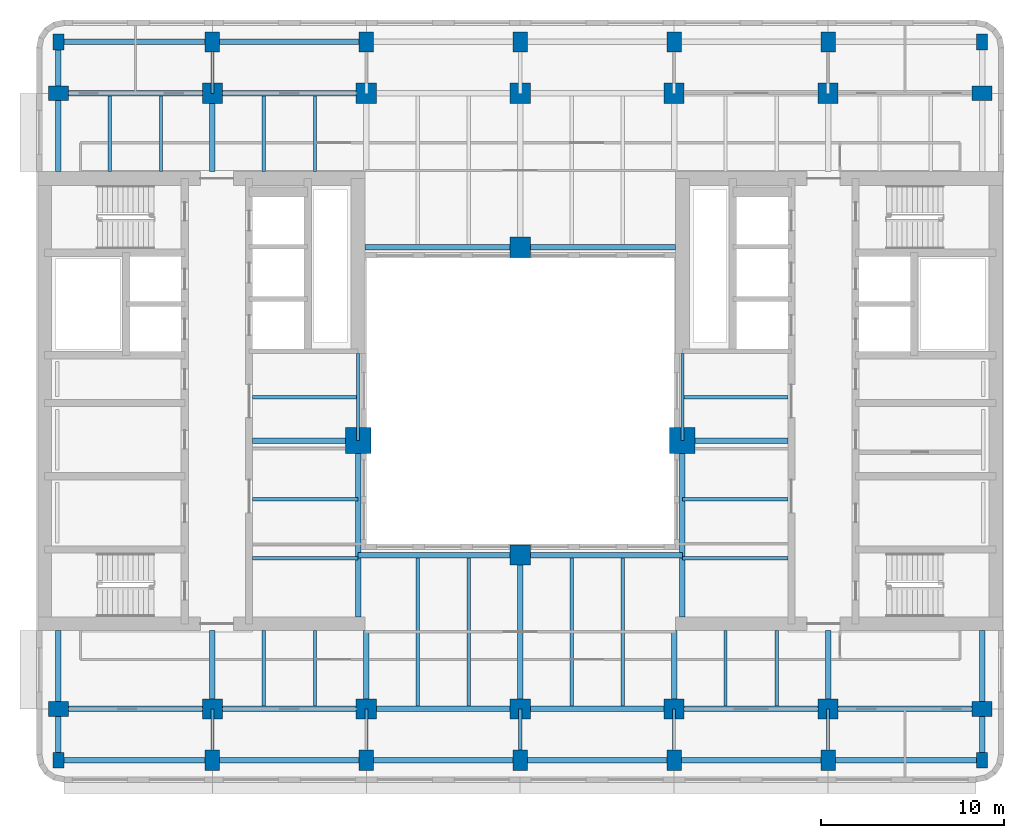
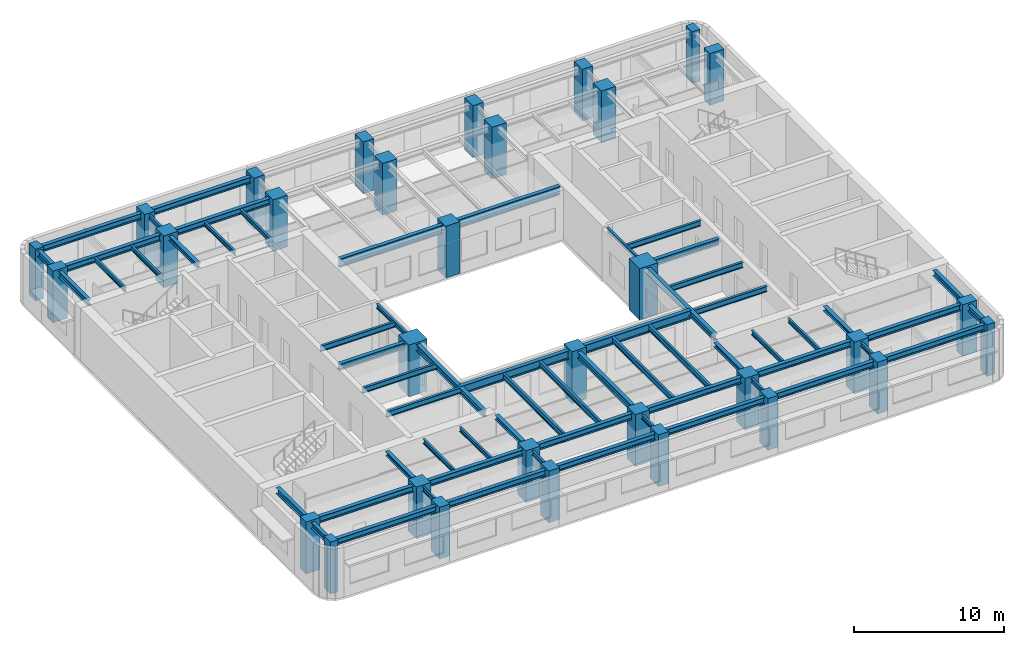
# One storey, part 1 of 11: 62 beams, 32 columns.
"""IFC4 building model written with IfcOpenShell, lengths in metres."""

from ifc_helpers import new_model, si_unit, direction, frame, origin, origin_2d, place, context, subcontext, project, spatial, rectangle, i_section, extrude, material, material_profile, profile_set, type_object, element, save


model = new_model("IFC4")

# Units and contexts
model_context = context("Model", 3, precision=1e-05, world=origin(), true_north=direction((0.0, 1.0)))
body_context = subcontext(model_context, "Body", "Model", "MODEL_VIEW")
ifc_project = project(units=[si_unit("LENGTHUNIT", "METRE"), si_unit("AREAUNIT", "SQUARE_METRE"), si_unit("VOLUMEUNIT", "CUBIC_METRE"), si_unit("PLANEANGLEUNIT", "RADIAN"), si_unit("MASSUNIT", "GRAM", prefix="KILO")], contexts=[model_context])

# Site, building, storey
site_placement = place(None, origin())
site = spatial("IfcSite", under=ifc_project, at=site_placement, CompositionType="ELEMENT")
building_placement = place(site_placement, origin())
building = spatial("IfcBuilding", under=site, at=building_placement, Name="Claustro Exchange Tower", CompositionType="ELEMENT")
storey_placement = place(building_placement, frame((0.0, 0.0, 186.0)))
storey = spatial("IfcBuildingStorey", under=building, at=storey_placement, Name="L42", CompositionType="ELEMENT", Elevation=186.0)

# Columns
ifc_material_1 = material(Name="Concrete HA-70 (C70/85)", Category="concrete")
ifc_material_profile_1 = material_profile(ifc_material_1, rectangle(XDim=1.39990234375, YDim=1.39990234375, at=origin_2d()), Name="RC 1400x1400")
ifc_profile_set_1 = profile_set([ifc_material_profile_1], Name="Concrete HA-70 (C70/85)")
column_type_1 = type_object("IfcColumnType", Name="C0 RC 1400x1400 HA-70 column", PredefinedType="COLUMN", material=ifc_profile_set_1)
for number, where, z_axis, x_axis, name in (
    (1, (16.35009765625, 23.050048828125, 0.0), (0.0, 0.0, 1.0), (1.0, 0.0, 0.0), "Column C0 2+7950/C+6250 L42"),
    (2, (34.050048828125, 23.050048828125, 0.0), (0.0, 0.0, 1.0), (1.0, 0.0, 0.0), "Column C0 5+450/C+6250 L42"),
):
    element("IfcColumn", number, at=place(storey_placement, frame(where, z_axis=z_axis, x_axis=x_axis)), inside=storey, type_object=column_type_1, Name=name, PredefinedType="COLUMN", context=body_context, shape_type="SweptSolid", body=[
        extrude(rectangle(XDim=1.39990234375, YDim=1.39990234375, at=origin_2d()), origin(), (0.0, 0.0, 1.0), 4.199951171875),
    ])
ifc_material_2 = material(Name="Concrete HA-70 (C70/85)", Category="concrete")
ifc_material_profile_2 = material_profile(ifc_material_2, rectangle(XDim=1.10009765625, YDim=1.10009765625, at=origin_2d()), Name="RC 1100x1100")
ifc_profile_set_2 = profile_set([ifc_material_profile_2], Name="Concrete HA-70 (C70/85)")
column_type_2 = type_object("IfcColumnType", Name="C17 RC 1100x1100 HA-70 column", PredefinedType="COLUMN", material=ifc_profile_set_2)
for number, where, z_axis, x_axis, name in (
    (3, (8.39990234375, 8.39990234375, 0.0), (0.0, 0.0, 1.0), (1.0, 0.0, 0.0), "Column C17 2/B L42"),
    (4, (8.39990234375, 42.0, 0.0), (0.0, 0.0, 1.0), (1.0, 0.0, 0.0), "Column C17 2/F L42"),
    (5, (16.800048828125, 8.39990234375, 0.0), (0.0, 0.0, 1.0), (1.0, 0.0, 0.0), "Column C17 3/B L42"),
    (6, (16.800048828125, 42.0, 0.0), (0.0, 0.0, 1.0), (1.0, 0.0, 0.0), "Column C17 3/F L42"),
    (7, (25.199951171875, 8.39990234375, 0.0), (0.0, 0.0, 1.0), (1.0, 0.0, 0.0), "Column C17 4/B L42"),
    (8, (25.199951171875, 42.0, 0.0), (0.0, 0.0, 1.0), (1.0, 0.0, 0.0), "Column C17 4/F L42"),
    (9, (25.199951171875, 16.800048828125, 0.0), (0.0, 0.0, 1.0), (1.0, 0.0, 0.0), "Column C17 4/C L42"),
    (10, (25.199951171875, 33.60009765625, 0.0), (0.0, 0.0, 1.0), (1.0, 0.0, 0.0), "Column C17 4/E L42"),
    (11, (33.60009765625, 8.39990234375, 0.0), (0.0, 0.0, 1.0), (1.0, 0.0, 0.0), "Column C17 5/B L42"),
    (12, (33.60009765625, 42.0, 0.0), (0.0, 0.0, 1.0), (1.0, 0.0, 0.0), "Column C17 5/F L42"),
    (13, (42.0, 8.39990234375, 0.0), (0.0, 0.0, 1.0), (1.0, 0.0, 0.0), "Column C17 6/B L42"),
    (14, (42.0, 42.0, 0.0), (0.0, 0.0, 1.0), (1.0, 0.0, 0.0), "Column C17 6/F L42"),
):
    element("IfcColumn", number, at=place(storey_placement, frame(where, z_axis=z_axis, x_axis=x_axis)), inside=storey, type_object=column_type_2, Name=name, PredefinedType="COLUMN", context=body_context, shape_type="SweptSolid", body=[
        extrude(rectangle(XDim=1.10009765625, YDim=1.10009765625, at=origin_2d()), origin(), (0.0, 0.0, 1.0), 4.199951171875),
    ])
ifc_material_3 = material(Name="Concrete HA-50 (C50/60)", Category="concrete")
ifc_material_profile_3 = material_profile(ifc_material_3, rectangle(XDim=0.800048828125, YDim=1.10009765625, at=origin_2d()), Name="RC 800x1100")
ifc_profile_set_3 = profile_set([ifc_material_profile_3], Name="Concrete HA-50 (C50/60)")
column_type_3 = type_object("IfcColumnType", Name="C23 RC 800x1100 HA-50 perimeter column", PredefinedType="COLUMN", material=ifc_profile_set_3)
for number, where, z_axis, x_axis, name in (
    (15, (0.0, 8.39990234375, 0.0), (0.0, 0.0, 1.0), (0.0, 1.0, 0.0), "Column C23 1/B L42"),
    (16, (0.0, 42.0, 0.0), (0.0, 0.0, 1.0), (0.0, 1.0, 0.0), "Column C23 1/F L42"),
    (17, (8.39990234375, 5.60009765625, 0.0), (0.0, 0.0, 1.0), (1.0, 0.0, 0.0), "Column C23 2/A+5600 L42"),
    (18, (8.39990234375, 44.800048828125, 0.0), (0.0, 0.0, 1.0), (1.0, 0.0, 0.0), "Column C23 2/F+2800 L42"),
    (19, (16.800048828125, 5.60009765625, 0.0), (0.0, 0.0, 1.0), (1.0, 0.0, 0.0), "Column C23 3/A+5600 L42"),
    (20, (16.800048828125, 44.800048828125, 0.0), (0.0, 0.0, 1.0), (1.0, 0.0, 0.0), "Column C23 3/F+2800 L42"),
    (21, (25.199951171875, 5.60009765625, 0.0), (0.0, 0.0, 1.0), (1.0, 0.0, 0.0), "Column C23 4/A+5600 L42"),
    (22, (25.199951171875, 44.800048828125, 0.0), (0.0, 0.0, 1.0), (1.0, 0.0, 0.0), "Column C23 4/F+2800 L42"),
    (23, (33.60009765625, 5.60009765625, 0.0), (0.0, 0.0, 1.0), (1.0, 0.0, 0.0), "Column C23 5/A+5600 L42"),
    (24, (33.60009765625, 44.800048828125, 0.0), (0.0, 0.0, 1.0), (1.0, 0.0, 0.0), "Column C23 5/F+2800 L42"),
    (25, (42.0, 5.60009765625, 0.0), (0.0, 0.0, 1.0), (1.0, 0.0, 0.0), "Column C23 6/A+5600 L42"),
    (26, (42.0, 44.800048828125, 0.0), (0.0, 0.0, 1.0), (1.0, 0.0, 0.0), "Column C23 6/F+2800 L42"),
    (27, (50.39990234375, 8.39990234375, 0.0), (0.0, 0.0, 1.0), (0.0, 1.0, 0.0), "Column C23 7/B L42"),
    (28, (50.39990234375, 42.0, 0.0), (0.0, 0.0, 1.0), (0.0, 1.0, 0.0), "Column C23 7/F L42"),
):
    element("IfcColumn", number, at=place(storey_placement, frame(where, z_axis=z_axis, x_axis=x_axis)), inside=storey, type_object=column_type_3, Name=name, PredefinedType="COLUMN", context=body_context, shape_type="SweptSolid", body=[
        extrude(rectangle(XDim=0.800048828125, YDim=1.10009765625, at=origin_2d()), origin(), (0.0, 0.0, 1.0), 4.199951171875),
    ])
ifc_material_4 = material(Name="Concrete HA-50 (C50/60)", Category="concrete")
ifc_material_profile_4 = material_profile(ifc_material_4, rectangle(XDim=0.60009765625, YDim=0.85009765625, at=origin_2d()), Name="RC 600x850")
ifc_profile_set_4 = profile_set([ifc_material_profile_4], Name="Concrete HA-50 (C50/60)")
column_type_4 = type_object("IfcColumnType", Name="C25 RC 600x850 HA-50 corner column", PredefinedType="COLUMN", material=ifc_profile_set_4)
for number, where, z_axis, x_axis, name in (
    (29, (0.0, 5.60009765625, 0.0), (0.0, 0.0, 1.0), (1.0, 0.0, 0.0), "Column C25 1/A+5600 L42"),
    (30, (0.0, 44.800048828125, 0.0), (0.0, 0.0, 1.0), (1.0, 0.0, 0.0), "Column C25 1/F+2800 L42"),
    (31, (50.39990234375, 5.60009765625, 0.0), (0.0, 0.0, 1.0), (1.0, 0.0, 0.0), "Column C25 7/A+5600 L42"),
    (32, (50.39990234375, 44.800048828125, 0.0), (0.0, 0.0, 1.0), (1.0, 0.0, 0.0), "Column C25 7/F+2800 L42"),
):
    element("IfcColumn", number, at=place(storey_placement, frame(where, z_axis=z_axis, x_axis=x_axis)), inside=storey, type_object=column_type_4, Name=name, PredefinedType="COLUMN", context=body_context, shape_type="SweptSolid", body=[
        extrude(rectangle(XDim=0.60009765625, YDim=0.85009765625, at=origin_2d()), origin(), (0.0, 0.0, 1.0), 4.199951171875),
    ])

# Beams
ifc_material_5 = material(Name="Steel S355", Category="steel")
ifc_material_profile_5 = material_profile(ifc_material_5, i_section(OverallWidth=0.300048828125, OverallDepth=0.68994140625, WebThickness=0.014404296875, FlangeThickness=0.027099609375, FilletRadius=0.027099609375, at=origin_2d()), Name="HE 700 A")
ifc_profile_set_5 = profile_set([ifc_material_profile_5], Name="Steel S355")
beam_type_1 = type_object("IfcBeamType", Name="B13 HE 700 A light well edge girder", PredefinedType="BEAM", material=ifc_profile_set_5)
beam_1_placement = place(storey_placement, frame((16.35009765625, 16.800048828125, 3.705078125), z_axis=(1.0, 0.0, 0.0), x_axis=(0.0, 1.0, 0.0)))
element("IfcBeam", 33, at=beam_1_placement, inside=storey, type_object=beam_type_1, Name="Beam B13 L43", PredefinedType="BEAM", context=body_context, shape_type="SweptSolid", body=[
    extrude(i_section(OverallWidth=0.300048828125, OverallDepth=0.68994140625, WebThickness=0.014404296875, FlangeThickness=0.027099609375, FilletRadius=0.027099609375, at=origin_2d()), origin(), (0.0, 0.0, 1.0), 8.849853515625),
])
beam_2_placement = place(storey_placement, frame((25.199951171875, 16.800048828125, 3.705078125), z_axis=(1.0, 0.0, 0.0), x_axis=(0.0, 1.0, 0.0)))
element("IfcBeam", 34, at=beam_2_placement, inside=storey, type_object=beam_type_1, Name="Beam B13 L43", PredefinedType="BEAM", context=body_context, shape_type="SweptSolid", body=[
    extrude(i_section(OverallWidth=0.300048828125, OverallDepth=0.68994140625, WebThickness=0.014404296875, FlangeThickness=0.027099609375, FilletRadius=0.027099609375, at=origin_2d()), origin(), (0.0, 0.0, 1.0), 8.85009765625),
])
beam_3_placement = place(storey_placement, frame((16.72509765625, 33.60009765625, 3.705078125), z_axis=(1.0, 0.0, 0.0), x_axis=(0.0, 1.0, 0.0)))
element("IfcBeam", 35, at=beam_3_placement, inside=storey, type_object=beam_type_1, Name="Beam B13 L43", PredefinedType="BEAM", context=body_context, shape_type="SweptSolid", body=[
    extrude(i_section(OverallWidth=0.300048828125, OverallDepth=0.68994140625, WebThickness=0.014404296875, FlangeThickness=0.027099609375, FilletRadius=0.027099609375, at=origin_2d()), origin(), (0.0, 0.0, 1.0), 8.474853515625),
])
beam_4_placement = place(storey_placement, frame((25.199951171875, 33.60009765625, 3.705078125), z_axis=(1.0, 0.0, 0.0), x_axis=(0.0, 1.0, 0.0)))
element("IfcBeam", 36, at=beam_4_placement, inside=storey, type_object=beam_type_1, Name="Beam B13 L43", PredefinedType="BEAM", context=body_context, shape_type="SweptSolid", body=[
    extrude(i_section(OverallWidth=0.300048828125, OverallDepth=0.68994140625, WebThickness=0.014404296875, FlangeThickness=0.027099609375, FilletRadius=0.027099609375, at=origin_2d()), origin(), (0.0, 0.0, 1.0), 8.47509765625),
])
ifc_material_6 = material(Name="Steel S355", Category="steel")
ifc_material_profile_6 = material_profile(ifc_material_6, i_section(OverallWidth=0.169921875, OverallDepth=0.360107421875, WebThickness=0.008056640625, FlangeThickness=0.0126953125, FilletRadius=0.01806640625, at=origin_2d()), Name="IPE 360")
ifc_profile_set_6 = profile_set([ifc_material_profile_6], Name="Steel S355")
beam_type_2 = type_object("IfcBeamType", Name="B16 IPE 360 short-span beam", PredefinedType="BEAM", material=ifc_profile_set_6)
beam_5_placement = place(storey_placement, frame((8.39990234375, 5.60009765625, 3.8701171875), z_axis=(0.0, 1.0, 0.0), x_axis=(-1.0, 0.0, 0.0)))
element("IfcBeam", 37, at=beam_5_placement, inside=storey, type_object=beam_type_2, Name="Beam B16 L43", PredefinedType="BEAM", context=body_context, shape_type="SweptSolid", body=[
    extrude(i_section(OverallWidth=0.169921875, OverallDepth=0.360107421875, WebThickness=0.008056640625, FlangeThickness=0.0126953125, FilletRadius=0.01806640625, at=origin_2d()), origin(), (0.0, 0.0, 1.0), 2.7998046875),
])
beam_6_placement = place(storey_placement, frame((8.39990234375, 42.0, 3.8701171875), z_axis=(0.0, 1.0, 0.0), x_axis=(-1.0, 0.0, 0.0)))
element("IfcBeam", 38, at=beam_6_placement, inside=storey, type_object=beam_type_2, Name="Beam B16 L43", PredefinedType="BEAM", context=body_context, shape_type="SweptSolid", body=[
    extrude(i_section(OverallWidth=0.169921875, OverallDepth=0.360107421875, WebThickness=0.008056640625, FlangeThickness=0.0126953125, FilletRadius=0.01806640625, at=origin_2d()), origin(), (0.0, 0.0, 1.0), 2.800048828125),
])
for number, where, z_axis, x_axis, name in (
    (39, (16.800048828125, 5.60009765625, 3.8701171875), (0.0, 1.0, 0.0), (-1.0, 0.0, 0.0), "Beam B16 L43"),
    (40, (25.199951171875, 5.60009765625, 3.8701171875), (0.0, 1.0, 0.0), (-1.0, 0.0, 0.0), "Beam B16 L43"),
    (41, (33.60009765625, 5.60009765625, 3.8701171875), (0.0, 1.0, 0.0), (-1.0, 0.0, 0.0), "Beam B16 L43"),
    (42, (42.0, 5.60009765625, 3.8701171875), (0.0, 1.0, 0.0), (-1.0, 0.0, 0.0), "Beam B16 L43"),
):
    element("IfcBeam", number, at=place(storey_placement, frame(where, z_axis=z_axis, x_axis=x_axis)), inside=storey, type_object=beam_type_2, Name=name, PredefinedType="BEAM", context=body_context, shape_type="SweptSolid", body=[
        extrude(i_section(OverallWidth=0.169921875, OverallDepth=0.360107421875, WebThickness=0.008056640625, FlangeThickness=0.0126953125, FilletRadius=0.01806640625, at=origin_2d()), origin(), (0.0, 0.0, 1.0), 2.7998046875),
    ])
for number, where, z_axis, x_axis, name in (
    (43, (2.800048828125, 37.72509765625, 3.8701171875), (0.0, 1.0, 0.0), (-1.0, 0.0, 0.0), "Beam B16 L43"),
    (44, (5.60009765625, 37.72509765625, 3.8701171875), (0.0, 1.0, 0.0), (-1.0, 0.0, 0.0), "Beam B16 L43"),
    (45, (11.199951171875, 8.550048828125, 3.8701171875), (0.0, 1.0, 0.0), (-1.0, 0.0, 0.0), "Beam B16 L43"),
    (46, (14.0, 8.550048828125, 3.8701171875), (0.0, 1.0, 0.0), (-1.0, 0.0, 0.0), "Beam B16 L43"),
    (47, (11.199951171875, 37.72509765625, 3.8701171875), (0.0, 1.0, 0.0), (-1.0, 0.0, 0.0), "Beam B16 L43"),
    (48, (14.0, 37.72509765625, 3.8701171875), (0.0, 1.0, 0.0), (-1.0, 0.0, 0.0), "Beam B16 L43"),
    (49, (36.39990234375, 8.550048828125, 3.8701171875), (0.0, 1.0, 0.0), (-1.0, 0.0, 0.0), "Beam B16 L43"),
    (50, (39.199951171875, 8.550048828125, 3.8701171875), (0.0, 1.0, 0.0), (-1.0, 0.0, 0.0), "Beam B16 L43"),
):
    element("IfcBeam", number, at=place(storey_placement, frame(where, z_axis=z_axis, x_axis=x_axis)), inside=storey, type_object=beam_type_2, Name=name, PredefinedType="BEAM", context=body_context, shape_type="SweptSolid", body=[
        extrude(i_section(OverallWidth=0.169921875, OverallDepth=0.360107421875, WebThickness=0.008056640625, FlangeThickness=0.0126953125, FilletRadius=0.01806640625, at=origin_2d()), origin(), (0.0, 0.0, 1.0), 4.125),
    ])
for number, where, z_axis, x_axis, name in (
    (51, (16.35009765625, 23.050048828125, 3.8701171875), (0.0, 1.0, 0.0), (-1.0, 0.0, 0.0), "Beam B16 core step framing L43"),
    (52, (34.050048828125, 23.050048828125, 3.8701171875), (0.0, 1.0, 0.0), (-1.0, 0.0, 0.0), "Beam B16 core step framing L43"),
):
    element("IfcBeam", number, at=place(storey_placement, frame(where, z_axis=z_axis, x_axis=x_axis)), inside=storey, type_object=beam_type_2, Name=name, PredefinedType="BEAM", context=body_context, shape_type="SweptSolid", body=[
        extrude(i_section(OverallWidth=0.169921875, OverallDepth=0.360107421875, WebThickness=0.008056640625, FlangeThickness=0.0126953125, FilletRadius=0.01806640625, at=origin_2d()), origin(), (0.0, 0.0, 1.0), 4.75),
    ])
ifc_material_7 = material(Name="Steel S355", Category="steel")
ifc_material_profile_7 = material_profile(ifc_material_7, i_section(OverallWidth=0.300048828125, OverallDepth=0.360107421875, WebThickness=0.012451171875, FlangeThickness=0.0224609375, FilletRadius=0.027099609375, at=origin_2d()), Name="HE 360 B")
ifc_profile_set_7 = profile_set([ifc_material_profile_7], Name="Steel S355")
beam_type_3 = type_object("IfcBeamType", Name="B29 HE 360 B column to core link beam", PredefinedType="BEAM", material=ifc_profile_set_7)
beam_7_placement = place(storey_placement, frame((8.39990234375, 8.39990234375, 3.8701171875), z_axis=(0.0, 1.0, 0.0), x_axis=(-1.0, 0.0, 0.0)))
element("IfcBeam", 53, at=beam_7_placement, inside=storey, type_object=beam_type_3, Name="Beam B29 L43", PredefinedType="BEAM", context=body_context, shape_type="SweptSolid", body=[
    extrude(i_section(OverallWidth=0.300048828125, OverallDepth=0.360107421875, WebThickness=0.012451171875, FlangeThickness=0.0224609375, FilletRadius=0.027099609375, at=origin_2d()), origin(), (0.0, 0.0, 1.0), 4.275146484375),
])
beam_8_placement = place(storey_placement, frame((8.39990234375, 37.72509765625, 3.8701171875), z_axis=(0.0, 1.0, 0.0), x_axis=(-1.0, 0.0, 0.0)))
element("IfcBeam", 54, at=beam_8_placement, inside=storey, type_object=beam_type_3, Name="Beam B29 L43", PredefinedType="BEAM", context=body_context, shape_type="SweptSolid", body=[
    extrude(i_section(OverallWidth=0.300048828125, OverallDepth=0.360107421875, WebThickness=0.012451171875, FlangeThickness=0.0224609375, FilletRadius=0.027099609375, at=origin_2d()), origin(), (0.0, 0.0, 1.0), 4.27490234375),
])
for number, where, z_axis, x_axis, name in (
    (55, (16.800048828125, 8.39990234375, 3.8701171875), (0.0, 1.0, 0.0), (-1.0, 0.0, 0.0), "Beam B29 L43"),
    (56, (33.60009765625, 8.39990234375, 3.8701171875), (0.0, 1.0, 0.0), (-1.0, 0.0, 0.0), "Beam B29 L43"),
    (57, (42.0, 8.39990234375, 3.8701171875), (0.0, 1.0, 0.0), (-1.0, 0.0, 0.0), "Beam B29 L43"),
):
    element("IfcBeam", number, at=place(storey_placement, frame(where, z_axis=z_axis, x_axis=x_axis)), inside=storey, type_object=beam_type_3, Name=name, PredefinedType="BEAM", context=body_context, shape_type="SweptSolid", body=[
        extrude(i_section(OverallWidth=0.300048828125, OverallDepth=0.360107421875, WebThickness=0.012451171875, FlangeThickness=0.0224609375, FilletRadius=0.027099609375, at=origin_2d()), origin(), (0.0, 0.0, 1.0), 4.275146484375),
    ])
ifc_material_8 = material(Name="Steel S355", Category="steel")
ifc_material_profile_8 = material_profile(ifc_material_8, i_section(OverallWidth=0.300048828125, OverallDepth=0.5, WebThickness=0.014404296875, FlangeThickness=0.028076171875, FilletRadius=0.027099609375, at=origin_2d()), Name="HE 500 B")
ifc_profile_set_8 = profile_set([ifc_material_profile_8], Name="Steel S355")
beam_type_4 = type_object("IfcBeamType", Name="B7 HE 500 B floor girder", PredefinedType="BEAM", material=ifc_profile_set_8)
beam_9_placement = place(storey_placement, frame((25.199951171875, 8.39990234375, 3.800048828125), z_axis=(0.0, 1.0, 0.0), x_axis=(-1.0, 0.0, 0.0)))
element("IfcBeam", 58, at=beam_9_placement, inside=storey, type_object=beam_type_4, Name="Beam B7 L43", PredefinedType="BEAM", context=body_context, shape_type="SweptSolid", body=[
    extrude(i_section(OverallWidth=0.300048828125, OverallDepth=0.5, WebThickness=0.014404296875, FlangeThickness=0.028076171875, FilletRadius=0.027099609375, at=origin_2d()), origin(), (0.0, 0.0, 1.0), 8.400146484375),
])
beam_10_placement = place(storey_placement, frame((0.0, 8.39990234375, 3.800048828125), z_axis=(1.0, 0.0, 0.0), x_axis=(0.0, 1.0, 0.0)))
element("IfcBeam", 59, at=beam_10_placement, inside=storey, type_object=beam_type_4, Name="Beam B7 L43", PredefinedType="BEAM", context=body_context, shape_type="SweptSolid", body=[
    extrude(i_section(OverallWidth=0.300048828125, OverallDepth=0.5, WebThickness=0.014404296875, FlangeThickness=0.028076171875, FilletRadius=0.027099609375, at=origin_2d()), origin(), (0.0, 0.0, 1.0), 8.39990234375),
])
beam_11_placement = place(storey_placement, frame((8.39990234375, 8.39990234375, 3.800048828125), z_axis=(1.0, 0.0, 0.0), x_axis=(0.0, 1.0, 0.0)))
element("IfcBeam", 60, at=beam_11_placement, inside=storey, type_object=beam_type_4, Name="Beam B7 L43", PredefinedType="BEAM", context=body_context, shape_type="SweptSolid", body=[
    extrude(i_section(OverallWidth=0.300048828125, OverallDepth=0.5, WebThickness=0.014404296875, FlangeThickness=0.028076171875, FilletRadius=0.027099609375, at=origin_2d()), origin(), (0.0, 0.0, 1.0), 8.400146484375),
])
beam_12_placement = place(storey_placement, frame((16.800048828125, 8.39990234375, 3.800048828125), z_axis=(1.0, 0.0, 0.0), x_axis=(0.0, 1.0, 0.0)))
element("IfcBeam", 61, at=beam_12_placement, inside=storey, type_object=beam_type_4, Name="Beam B7 L43", PredefinedType="BEAM", context=body_context, shape_type="SweptSolid", body=[
    extrude(i_section(OverallWidth=0.300048828125, OverallDepth=0.5, WebThickness=0.014404296875, FlangeThickness=0.028076171875, FilletRadius=0.027099609375, at=origin_2d()), origin(), (0.0, 0.0, 1.0), 8.39990234375),
])
beam_13_placement = place(storey_placement, frame((25.199951171875, 8.39990234375, 3.800048828125), z_axis=(1.0, 0.0, 0.0), x_axis=(0.0, 1.0, 0.0)))
element("IfcBeam", 62, at=beam_13_placement, inside=storey, type_object=beam_type_4, Name="Beam B7 L43", PredefinedType="BEAM", context=body_context, shape_type="SweptSolid", body=[
    extrude(i_section(OverallWidth=0.300048828125, OverallDepth=0.5, WebThickness=0.014404296875, FlangeThickness=0.028076171875, FilletRadius=0.027099609375, at=origin_2d()), origin(), (0.0, 0.0, 1.0), 8.400146484375),
])
for number, where, z_axis, x_axis, name in (
    (63, (33.60009765625, 8.39990234375, 3.800048828125), (1.0, 0.0, 0.0), (0.0, 1.0, 0.0), "Beam B7 L43"),
    (64, (42.0, 8.39990234375, 3.800048828125), (1.0, 0.0, 0.0), (0.0, 1.0, 0.0), "Beam B7 L43"),
    (65, (0.0, 42.0, 3.800048828125), (1.0, 0.0, 0.0), (0.0, 1.0, 0.0), "Beam B7 L43"),
):
    element("IfcBeam", number, at=place(storey_placement, frame(where, z_axis=z_axis, x_axis=x_axis)), inside=storey, type_object=beam_type_4, Name=name, PredefinedType="BEAM", context=body_context, shape_type="SweptSolid", body=[
        extrude(i_section(OverallWidth=0.300048828125, OverallDepth=0.5, WebThickness=0.014404296875, FlangeThickness=0.028076171875, FilletRadius=0.027099609375, at=origin_2d()), origin(), (0.0, 0.0, 1.0), 8.39990234375),
    ])
beam_14_placement = place(storey_placement, frame((8.39990234375, 42.0, 3.800048828125), z_axis=(1.0, 0.0, 0.0), x_axis=(0.0, 1.0, 0.0)))
element("IfcBeam", 66, at=beam_14_placement, inside=storey, type_object=beam_type_4, Name="Beam B7 L43", PredefinedType="BEAM", context=body_context, shape_type="SweptSolid", body=[
    extrude(i_section(OverallWidth=0.300048828125, OverallDepth=0.5, WebThickness=0.014404296875, FlangeThickness=0.028076171875, FilletRadius=0.027099609375, at=origin_2d()), origin(), (0.0, 0.0, 1.0), 8.400146484375),
])
beam_15_placement = place(storey_placement, frame((10.60009765625, 23.050048828125, 3.800048828125), z_axis=(1.0, 0.0, 0.0), x_axis=(0.0, 1.0, 0.0)))
element("IfcBeam", 67, at=beam_15_placement, inside=storey, type_object=beam_type_4, Name="Beam B7 core step framing L43", PredefinedType="BEAM", context=body_context, shape_type="SweptSolid", body=[
    extrude(i_section(OverallWidth=0.300048828125, OverallDepth=0.5, WebThickness=0.014404296875, FlangeThickness=0.028076171875, FilletRadius=0.027099609375, at=origin_2d()), origin(), (0.0, 0.0, 1.0), 5.75),
])
beam_16_placement = place(storey_placement, frame((16.35009765625, 13.425048828125, 3.800048828125), z_axis=(0.0, 1.0, 0.0), x_axis=(-1.0, 0.0, 0.0)))
element("IfcBeam", 68, at=beam_16_placement, inside=storey, type_object=beam_type_4, Name="Beam B7 core step framing L43", PredefinedType="BEAM", context=body_context, shape_type="SweptSolid", body=[
    extrude(i_section(OverallWidth=0.300048828125, OverallDepth=0.5, WebThickness=0.014404296875, FlangeThickness=0.028076171875, FilletRadius=0.027099609375, at=origin_2d()), origin(), (0.0, 0.0, 1.0), 9.625),
])
beam_17_placement = place(storey_placement, frame((34.050048828125, 23.050048828125, 3.800048828125), z_axis=(1.0, 0.0, 0.0), x_axis=(0.0, 1.0, 0.0)))
element("IfcBeam", 69, at=beam_17_placement, inside=storey, type_object=beam_type_4, Name="Beam B7 core step framing L43", PredefinedType="BEAM", context=body_context, shape_type="SweptSolid", body=[
    extrude(i_section(OverallWidth=0.300048828125, OverallDepth=0.5, WebThickness=0.014404296875, FlangeThickness=0.028076171875, FilletRadius=0.027099609375, at=origin_2d()), origin(), (0.0, 0.0, 1.0), 5.75),
])
beam_18_placement = place(storey_placement, frame((34.050048828125, 13.425048828125, 3.800048828125), z_axis=(0.0, 1.0, 0.0), x_axis=(-1.0, 0.0, 0.0)))
element("IfcBeam", 70, at=beam_18_placement, inside=storey, type_object=beam_type_4, Name="Beam B7 core step framing L43", PredefinedType="BEAM", context=body_context, shape_type="SweptSolid", body=[
    extrude(i_section(OverallWidth=0.300048828125, OverallDepth=0.5, WebThickness=0.014404296875, FlangeThickness=0.028076171875, FilletRadius=0.027099609375, at=origin_2d()), origin(), (0.0, 0.0, 1.0), 9.625),
])
ifc_material_9 = material(Name="Steel S355", Category="steel")
ifc_material_profile_9 = material_profile(ifc_material_9, i_section(OverallWidth=0.18994140625, OverallDepth=0.449951171875, WebThickness=0.009521484375, FlangeThickness=0.0146484375, FilletRadius=0.02099609375, at=origin_2d()), Name="IPE 450")
ifc_profile_set_9 = profile_set([ifc_material_profile_9], Name="Steel S355")
beam_type_5 = type_object("IfcBeamType", Name="B8 IPE 450 secondary beam", PredefinedType="BEAM", material=ifc_profile_set_9)
for number, where, z_axis, x_axis, name in (
    (71, (19.60009765625, 8.550048828125, 3.824951171875), (0.0, 1.0, 0.0), (-1.0, 0.0, 0.0), "Beam B8 L43"),
    (72, (22.39990234375, 8.550048828125, 3.824951171875), (0.0, 1.0, 0.0), (-1.0, 0.0, 0.0), "Beam B8 L43"),
    (73, (28.0, 8.550048828125, 3.824951171875), (0.0, 1.0, 0.0), (-1.0, 0.0, 0.0), "Beam B8 L43"),
    (74, (30.800048828125, 8.550048828125, 3.824951171875), (0.0, 1.0, 0.0), (-1.0, 0.0, 0.0), "Beam B8 L43"),
):
    element("IfcBeam", number, at=place(storey_placement, frame(where, z_axis=z_axis, x_axis=x_axis)), inside=storey, type_object=beam_type_5, Name=name, PredefinedType="BEAM", context=body_context, shape_type="SweptSolid", body=[
        extrude(i_section(OverallWidth=0.18994140625, OverallDepth=0.449951171875, WebThickness=0.009521484375, FlangeThickness=0.0146484375, FilletRadius=0.02099609375, at=origin_2d()), origin(), (0.0, 0.0, 1.0), 8.099853515625),
    ])
for number, where, z_axis, x_axis, name in (
    (75, (10.60009765625, 16.63330078125, 3.824951171875), (1.0, 0.0, 0.0), (0.0, 1.0, 0.0), "Beam B8 core step framing L43"),
    (76, (10.60009765625, 19.841796875, 3.824951171875), (1.0, 0.0, 0.0), (0.0, 1.0, 0.0), "Beam B8 core step framing L43"),
    (77, (10.60009765625, 25.425048828125, 3.824951171875), (1.0, 0.0, 0.0), (0.0, 1.0, 0.0), "Beam B8 core step framing L43"),
    (78, (34.050048828125, 16.63330078125, 3.824951171875), (1.0, 0.0, 0.0), (0.0, 1.0, 0.0), "Beam B8 core step framing L43"),
    (79, (34.050048828125, 19.841796875, 3.824951171875), (1.0, 0.0, 0.0), (0.0, 1.0, 0.0), "Beam B8 core step framing L43"),
    (80, (34.050048828125, 25.425048828125, 3.824951171875), (1.0, 0.0, 0.0), (0.0, 1.0, 0.0), "Beam B8 core step framing L43"),
):
    element("IfcBeam", number, at=place(storey_placement, frame(where, z_axis=z_axis, x_axis=x_axis)), inside=storey, type_object=beam_type_5, Name=name, PredefinedType="BEAM", context=body_context, shape_type="SweptSolid", body=[
        extrude(i_section(OverallWidth=0.18994140625, OverallDepth=0.449951171875, WebThickness=0.009521484375, FlangeThickness=0.0146484375, FilletRadius=0.02099609375, at=origin_2d()), origin(), (0.0, 0.0, 1.0), 5.75),
    ])
ifc_material_10 = material(Name="Steel S355", Category="steel")
ifc_material_profile_10 = material_profile(ifc_material_10, i_section(OverallWidth=0.300048828125, OverallDepth=0.489990234375, WebThickness=0.011962890625, FlangeThickness=0.02294921875, FilletRadius=0.027099609375, at=origin_2d()), Name="HE 500 A")
ifc_profile_set_10 = profile_set([ifc_material_profile_10], Name="Steel S355")
beam_type_6 = type_object("IfcBeamType", Name="B9 HE 500 A spandrel edge girder", PredefinedType="SPANDREL", material=ifc_profile_set_10)
beam_19_placement = place(storey_placement, frame((0.0, 5.60009765625, 3.804931640625), z_axis=(0.0, 1.0, 0.0), x_axis=(-1.0, 0.0, 0.0)))
element("IfcBeam", 81, at=beam_19_placement, inside=storey, type_object=beam_type_6, Name="Beam B9 L43", PredefinedType="SPANDREL", context=body_context, shape_type="SweptSolid", body=[
    extrude(i_section(OverallWidth=0.300048828125, OverallDepth=0.489990234375, WebThickness=0.011962890625, FlangeThickness=0.02294921875, FilletRadius=0.027099609375, at=origin_2d()), origin(), (0.0, 0.0, 1.0), 2.7998046875),
])
beam_20_placement = place(storey_placement, frame((0.0, 8.39990234375, 3.804931640625), z_axis=(0.0, 1.0, 0.0), x_axis=(-1.0, 0.0, 0.0)))
element("IfcBeam", 82, at=beam_20_placement, inside=storey, type_object=beam_type_6, Name="Beam B9 L43", PredefinedType="SPANDREL", context=body_context, shape_type="SweptSolid", body=[
    extrude(i_section(OverallWidth=0.300048828125, OverallDepth=0.489990234375, WebThickness=0.011962890625, FlangeThickness=0.02294921875, FilletRadius=0.027099609375, at=origin_2d()), origin(), (0.0, 0.0, 1.0), 4.275146484375),
])
beam_21_placement = place(storey_placement, frame((0.0, 37.72509765625, 3.804931640625), z_axis=(0.0, 1.0, 0.0), x_axis=(-1.0, 0.0, 0.0)))
element("IfcBeam", 83, at=beam_21_placement, inside=storey, type_object=beam_type_6, Name="Beam B9 L43", PredefinedType="SPANDREL", context=body_context, shape_type="SweptSolid", body=[
    extrude(i_section(OverallWidth=0.300048828125, OverallDepth=0.489990234375, WebThickness=0.011962890625, FlangeThickness=0.02294921875, FilletRadius=0.027099609375, at=origin_2d()), origin(), (0.0, 0.0, 1.0), 4.27490234375),
])
beam_22_placement = place(storey_placement, frame((0.0, 42.0, 3.804931640625), z_axis=(0.0, 1.0, 0.0), x_axis=(-1.0, 0.0, 0.0)))
element("IfcBeam", 84, at=beam_22_placement, inside=storey, type_object=beam_type_6, Name="Beam B9 L43", PredefinedType="SPANDREL", context=body_context, shape_type="SweptSolid", body=[
    extrude(i_section(OverallWidth=0.300048828125, OverallDepth=0.489990234375, WebThickness=0.011962890625, FlangeThickness=0.02294921875, FilletRadius=0.027099609375, at=origin_2d()), origin(), (0.0, 0.0, 1.0), 2.800048828125),
])
beam_23_placement = place(storey_placement, frame((50.39990234375, 5.60009765625, 3.804931640625), z_axis=(0.0, 1.0, 0.0), x_axis=(-1.0, 0.0, 0.0)))
element("IfcBeam", 85, at=beam_23_placement, inside=storey, type_object=beam_type_6, Name="Beam B9 L43", PredefinedType="SPANDREL", context=body_context, shape_type="SweptSolid", body=[
    extrude(i_section(OverallWidth=0.300048828125, OverallDepth=0.489990234375, WebThickness=0.011962890625, FlangeThickness=0.02294921875, FilletRadius=0.027099609375, at=origin_2d()), origin(), (0.0, 0.0, 1.0), 2.7998046875),
])
beam_24_placement = place(storey_placement, frame((50.39990234375, 8.39990234375, 3.804931640625), z_axis=(0.0, 1.0, 0.0), x_axis=(-1.0, 0.0, 0.0)))
element("IfcBeam", 86, at=beam_24_placement, inside=storey, type_object=beam_type_6, Name="Beam B9 L43", PredefinedType="SPANDREL", context=body_context, shape_type="SweptSolid", body=[
    extrude(i_section(OverallWidth=0.300048828125, OverallDepth=0.489990234375, WebThickness=0.011962890625, FlangeThickness=0.02294921875, FilletRadius=0.027099609375, at=origin_2d()), origin(), (0.0, 0.0, 1.0), 4.275146484375),
])
beam_25_placement = place(storey_placement, frame((0.0, 5.60009765625, 3.804931640625), z_axis=(1.0, 0.0, 0.0), x_axis=(0.0, 1.0, 0.0)))
element("IfcBeam", 87, at=beam_25_placement, inside=storey, type_object=beam_type_6, Name="Beam B9 L43", PredefinedType="SPANDREL", context=body_context, shape_type="SweptSolid", body=[
    extrude(i_section(OverallWidth=0.300048828125, OverallDepth=0.489990234375, WebThickness=0.011962890625, FlangeThickness=0.02294921875, FilletRadius=0.027099609375, at=origin_2d()), origin(), (0.0, 0.0, 1.0), 8.39990234375),
])
beam_26_placement = place(storey_placement, frame((8.39990234375, 5.60009765625, 3.804931640625), z_axis=(1.0, 0.0, 0.0), x_axis=(0.0, 1.0, 0.0)))
element("IfcBeam", 88, at=beam_26_placement, inside=storey, type_object=beam_type_6, Name="Beam B9 L43", PredefinedType="SPANDREL", context=body_context, shape_type="SweptSolid", body=[
    extrude(i_section(OverallWidth=0.300048828125, OverallDepth=0.489990234375, WebThickness=0.011962890625, FlangeThickness=0.02294921875, FilletRadius=0.027099609375, at=origin_2d()), origin(), (0.0, 0.0, 1.0), 8.400146484375),
])
beam_27_placement = place(storey_placement, frame((16.800048828125, 5.60009765625, 3.804931640625), z_axis=(1.0, 0.0, 0.0), x_axis=(0.0, 1.0, 0.0)))
element("IfcBeam", 89, at=beam_27_placement, inside=storey, type_object=beam_type_6, Name="Beam B9 L43", PredefinedType="SPANDREL", context=body_context, shape_type="SweptSolid", body=[
    extrude(i_section(OverallWidth=0.300048828125, OverallDepth=0.489990234375, WebThickness=0.011962890625, FlangeThickness=0.02294921875, FilletRadius=0.027099609375, at=origin_2d()), origin(), (0.0, 0.0, 1.0), 8.39990234375),
])
beam_28_placement = place(storey_placement, frame((25.199951171875, 5.60009765625, 3.804931640625), z_axis=(1.0, 0.0, 0.0), x_axis=(0.0, 1.0, 0.0)))
element("IfcBeam", 90, at=beam_28_placement, inside=storey, type_object=beam_type_6, Name="Beam B9 L43", PredefinedType="SPANDREL", context=body_context, shape_type="SweptSolid", body=[
    extrude(i_section(OverallWidth=0.300048828125, OverallDepth=0.489990234375, WebThickness=0.011962890625, FlangeThickness=0.02294921875, FilletRadius=0.027099609375, at=origin_2d()), origin(), (0.0, 0.0, 1.0), 8.400146484375),
])
for number, where, z_axis, x_axis, name in (
    (91, (33.60009765625, 5.60009765625, 3.804931640625), (1.0, 0.0, 0.0), (0.0, 1.0, 0.0), "Beam B9 L43"),
    (92, (42.0, 5.60009765625, 3.804931640625), (1.0, 0.0, 0.0), (0.0, 1.0, 0.0), "Beam B9 L43"),
    (93, (0.0, 44.800048828125, 3.804931640625), (1.0, 0.0, 0.0), (0.0, 1.0, 0.0), "Beam B9 L43"),
):
    element("IfcBeam", number, at=place(storey_placement, frame(where, z_axis=z_axis, x_axis=x_axis)), inside=storey, type_object=beam_type_6, Name=name, PredefinedType="SPANDREL", context=body_context, shape_type="SweptSolid", body=[
        extrude(i_section(OverallWidth=0.300048828125, OverallDepth=0.489990234375, WebThickness=0.011962890625, FlangeThickness=0.02294921875, FilletRadius=0.027099609375, at=origin_2d()), origin(), (0.0, 0.0, 1.0), 8.39990234375),
    ])
beam_29_placement = place(storey_placement, frame((8.39990234375, 44.800048828125, 3.804931640625), z_axis=(1.0, 0.0, 0.0), x_axis=(0.0, 1.0, 0.0)))
element("IfcBeam", 94, at=beam_29_placement, inside=storey, type_object=beam_type_6, Name="Beam B9 L43", PredefinedType="SPANDREL", context=body_context, shape_type="SweptSolid", body=[
    extrude(i_section(OverallWidth=0.300048828125, OverallDepth=0.489990234375, WebThickness=0.011962890625, FlangeThickness=0.02294921875, FilletRadius=0.027099609375, at=origin_2d()), origin(), (0.0, 0.0, 1.0), 8.400146484375),
])

save(model, "model.ifc")
